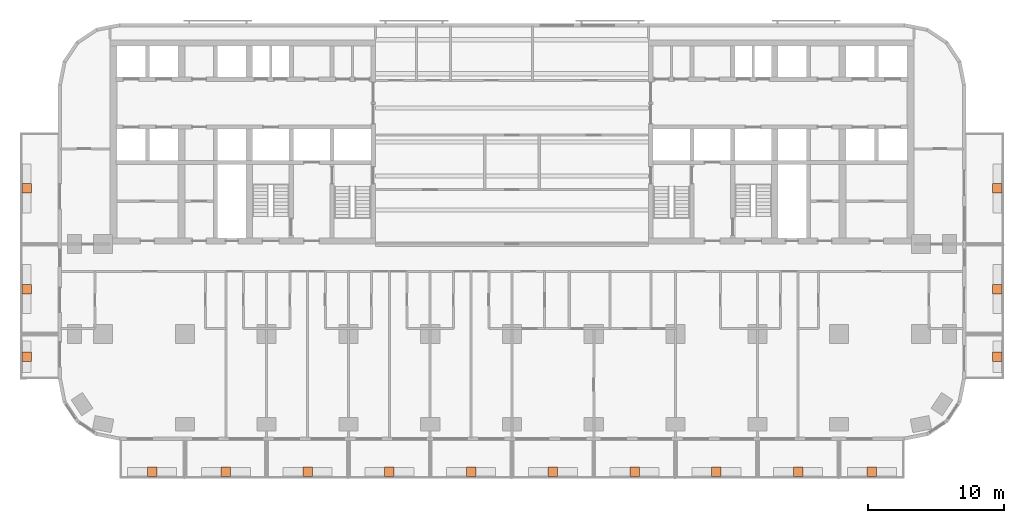
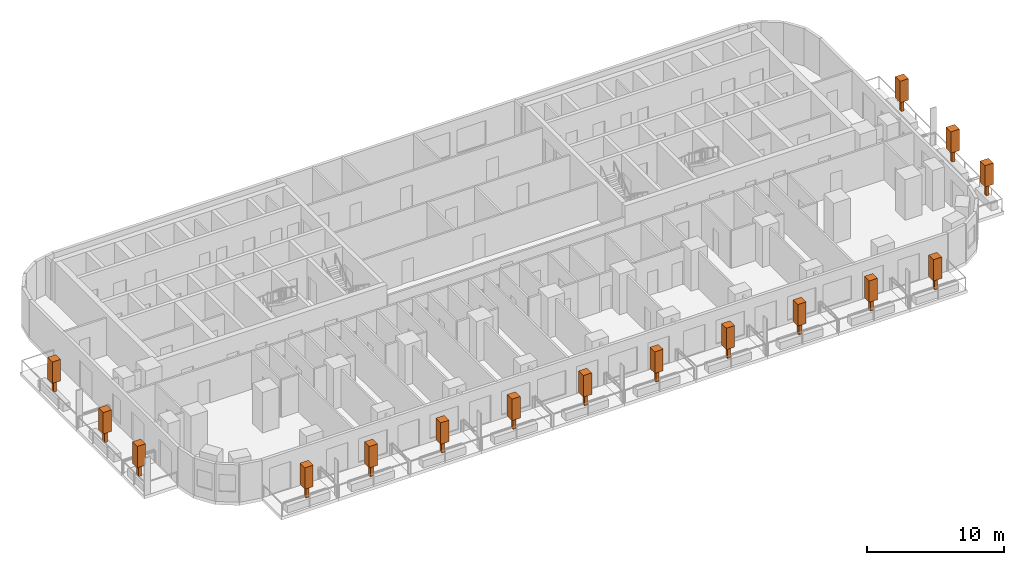
# One storey, part 14 of 14: 16 geographic elements.
"""IFC4 building model written with IfcOpenShell, lengths in metres."""

from ifc_helpers import new_model, si_unit, direction, frame, origin, origin_2d, place, context, subcontext, project, spatial, rectangle, extrude, material, element, save


model = new_model("IFC4")

# Units and contexts
model_context = context("Model", 3, precision=1e-05, world=origin(), true_north=direction((0.0, 1.0)))
body_context = subcontext(model_context, "Body", "Model", "MODEL_VIEW")
ifc_project = project(units=[si_unit("LENGTHUNIT", "METRE"), si_unit("AREAUNIT", "SQUARE_METRE"), si_unit("VOLUMEUNIT", "CUBIC_METRE"), si_unit("PLANEANGLEUNIT", "RADIAN"), si_unit("MASSUNIT", "GRAM", prefix="KILO")], contexts=[model_context])

# Site, building, storey
site_placement = place(None, origin())
site = spatial("IfcSite", under=ifc_project, at=site_placement, CompositionType="ELEMENT")
building_placement = place(site_placement, origin())
building = spatial("IfcBuilding", under=site, at=building_placement, Name="Torana Hotel and Residences", CompositionType="ELEMENT")
storey_placement = place(building_placement, frame((0.0, 0.0, 63.60009765625)))
storey = spatial("IfcBuildingStorey", under=building, at=storey_placement, Name="L15", CompositionType="ELEMENT", Elevation=63.60009765625)

# Geographic elements
ifc_material = material(Name="Foliage", Category="planting")
for number, where, z_axis, x_axis, name in (
    (1, (-26.39990234375, -31.699951171875, 0.64990234375), (0.0, 0.0, 1.0), (1.0, 0.0, 0.0), "Tree 01"),
    (2, (-21.0, -31.699951171875, 0.64990234375), (0.0, 0.0, 1.0), (1.0, 0.0, 0.0), "Tree 02"),
    (3, (-15.0, -31.699951171875, 0.64990234375), (0.0, 0.0, 1.0), (1.0, 0.0, 0.0), "Tree 03"),
    (4, (-9.0, -31.699951171875, 0.64990234375), (0.0, 0.0, 1.0), (1.0, 0.0, 0.0), "Tree 04"),
    (5, (-3.0, -31.699951171875, 0.64990234375), (0.0, 0.0, 1.0), (1.0, 0.0, 0.0), "Tree 05"),
    (6, (3.0, -31.699951171875, 0.64990234375), (0.0, 0.0, 1.0), (1.0, 0.0, 0.0), "Tree 06"),
    (7, (9.0, -31.699951171875, 0.64990234375), (0.0, 0.0, 1.0), (1.0, 0.0, 0.0), "Tree 07"),
    (8, (15.0, -31.699951171875, 0.64990234375), (0.0, 0.0, 1.0), (1.0, 0.0, 0.0), "Tree 08"),
    (9, (21.0, -31.699951171875, 0.64990234375), (0.0, 0.0, 1.0), (1.0, 0.0, 0.0), "Tree 09"),
    (10, (26.39990234375, -31.699951171875, 0.64990234375), (0.0, 0.0, 1.0), (1.0, 0.0, 0.0), "Tree 10"),
    (11, (-35.60009765625, -23.25, 0.64990234375), (0.0, 0.0, 1.0), (1.0, 0.0, 0.0), "Tree 11"),
    (12, (-35.60009765625, -18.300048828125, 0.64990234375), (0.0, 0.0, 1.0), (1.0, 0.0, 0.0), "Tree 12"),
    (13, (-35.60009765625, -10.89990234375, 0.64990234375), (0.0, 0.0, 1.0), (1.0, 0.0, 0.0), "Tree 13"),
    (14, (35.60009765625, -23.25, 0.64990234375), (0.0, 0.0, 1.0), (1.0, 0.0, 0.0), "Tree 14"),
    (15, (35.60009765625, -18.300048828125, 0.64990234375), (0.0, 0.0, 1.0), (1.0, 0.0, 0.0), "Tree 15"),
    (16, (35.60009765625, -10.89990234375, 0.64990234375), (0.0, 0.0, 1.0), (1.0, 0.0, 0.0), "Tree 16"),
):
    element("IfcGeographicElement", number, at=place(storey_placement, frame(where, z_axis=z_axis, x_axis=x_axis)), inside=storey, material=ifc_material, Name=name, ObjectType="TREE", PredefinedType="USERDEFINED", context=body_context, shape_type="SweptSolid", body=[
        extrude(rectangle(XDim=0.25, YDim=0.25, at=origin_2d()), origin(), (0.0, 0.0, 1.0), 1.0),
        extrude(rectangle(XDim=0.699951171875, YDim=0.699951171875, at=origin_2d()), frame((0.0, 0.0, 1.0)), (0.0, 0.0, 1.0), 1.89990234375),
    ])

save(model, "model.ifc")
